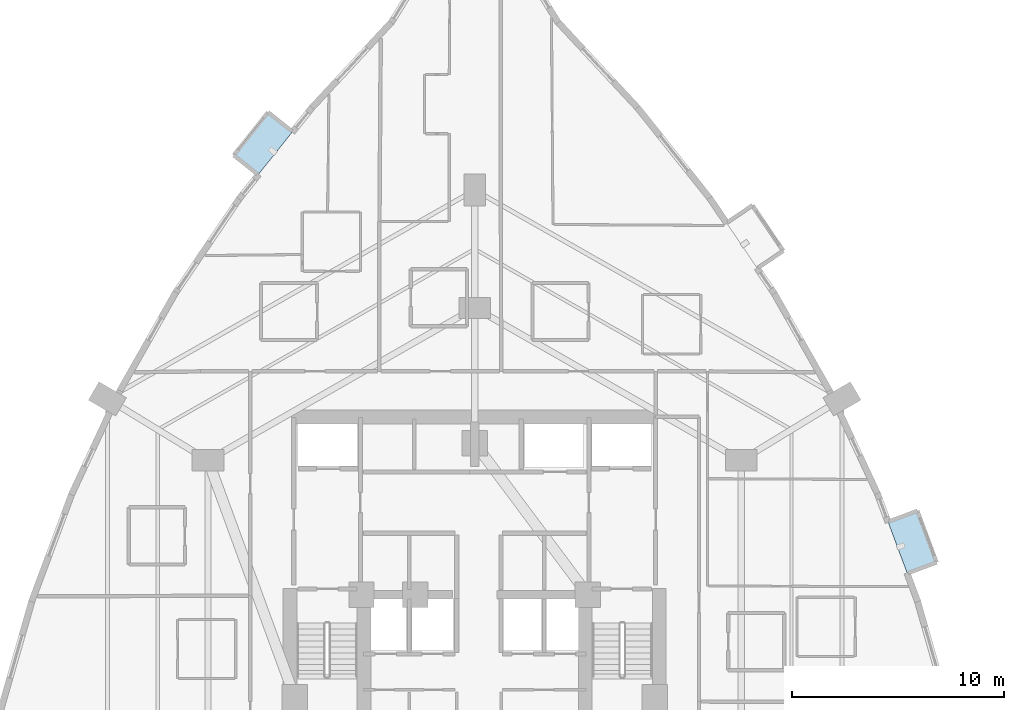
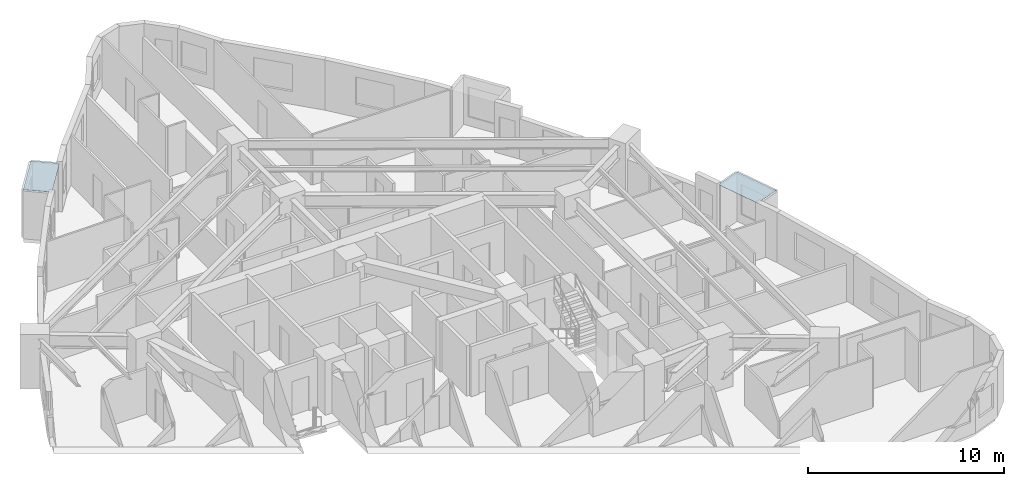
# One storey, part 6 of 16: 2 plates.
"""IFC4 building model written with IfcOpenShell, lengths in metres."""

from ifc_helpers import new_model, si_unit, direction, frame, origin, place, context, subcontext, project, spatial, polyline, outline, extrude, material, layer, layer_set, type_object, element, save


model = new_model("IFC4")

# Units and contexts
model_context = context("Model", 3, precision=1e-05, world=origin(), true_north=direction((0.0, 1.0)))
body_context = subcontext(model_context, "Body", "Model", "MODEL_VIEW")
ifc_project = project(units=[si_unit("LENGTHUNIT", "METRE"), si_unit("AREAUNIT", "SQUARE_METRE"), si_unit("VOLUMEUNIT", "CUBIC_METRE"), si_unit("PLANEANGLEUNIT", "RADIAN"), si_unit("MASSUNIT", "GRAM", prefix="KILO")], contexts=[model_context])

# Site, building, storey
site_placement = place(None, origin())
site = spatial("IfcSite", under=ifc_project, at=site_placement, CompositionType="ELEMENT")
building_placement = place(site_placement, origin())
building = spatial("IfcBuilding", under=site, at=building_placement, Name="Miruveldt Soraemaru", CompositionType="ELEMENT")
storey_placement = place(building_placement, frame((0.0, 0.0, 42.800048828125)))
storey = spatial("IfcBuildingStorey", under=building, at=storey_placement, Name="L11", CompositionType="ELEMENT", Elevation=42.800048828125)

# Plates
ifc_material = material(Name="Standing-seam titanium-zinc sheet", Category="aluminium")
ifc_layer = layer(ifc_material, 0.011962890625, Name="Standing-seam titanium-zinc sheet", Category="aluminium")
ifc_layer_set = layer_set([ifc_layer], Name="Standing-seam titanium-zinc sheet")
plate_type = type_object("IfcPlateType", Name="PLT-ZINC-12", PredefinedType="SHEET", material=ifc_layer_set)
plate_1_placement = place(storey_placement, frame((0.0, 0.0, 2.974853515625)))
element("IfcPlate", 1, at=plate_1_placement, inside=storey, type_object=plate_type, Name="L11 Bay Window Zinc Hood Sheet 6", PredefinedType="SHEET", context=body_context, shape_type="SweptSolid", body=[
    extrude(outline(polyline([(35.393310546875, 65.923095703125), (33.77197265625, 63.890380859375), (32.614990234375, 64.8134765625), (34.236328125, 66.845947265625), (35.393310546875, 65.923095703125)])), origin(), (0.0, 0.0, 1.0), 0.01220703125),
])
plate_2_placement = place(storey_placement, frame((0.0, 0.0, 2.974853515625)))
element("IfcPlate", 2, at=plate_2_placement, inside=storey, type_object=plate_type, Name="L11 Bay Window Zinc Hood Sheet 4", PredefinedType="SHEET", context=body_context, shape_type="SweptSolid", body=[
    extrude(outline(polyline([(64.439208984375, 45.0556640625), (63.531982421875, 47.4921875), (64.918701171875, 48.0087890625), (65.826171875, 45.572265625), (64.439208984375, 45.0556640625)])), origin(), (0.0, 0.0, 1.0), 0.01220703125),
])

save(model, "model.ifc")
